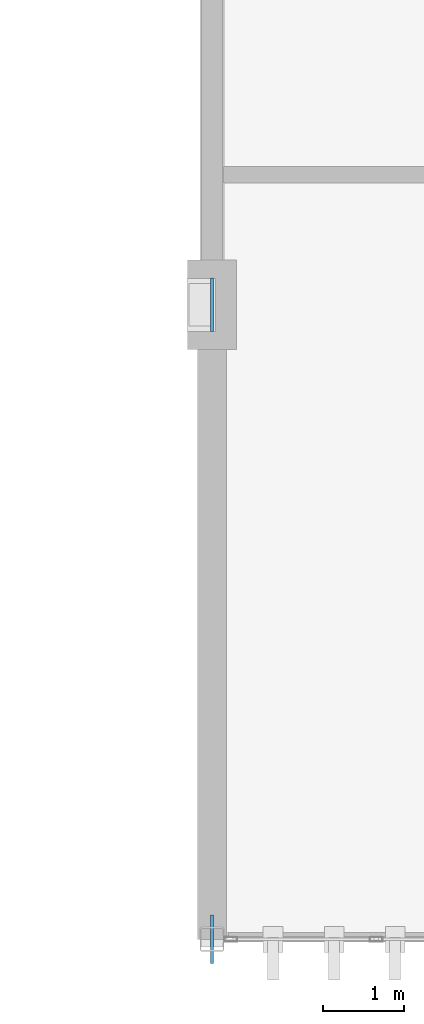
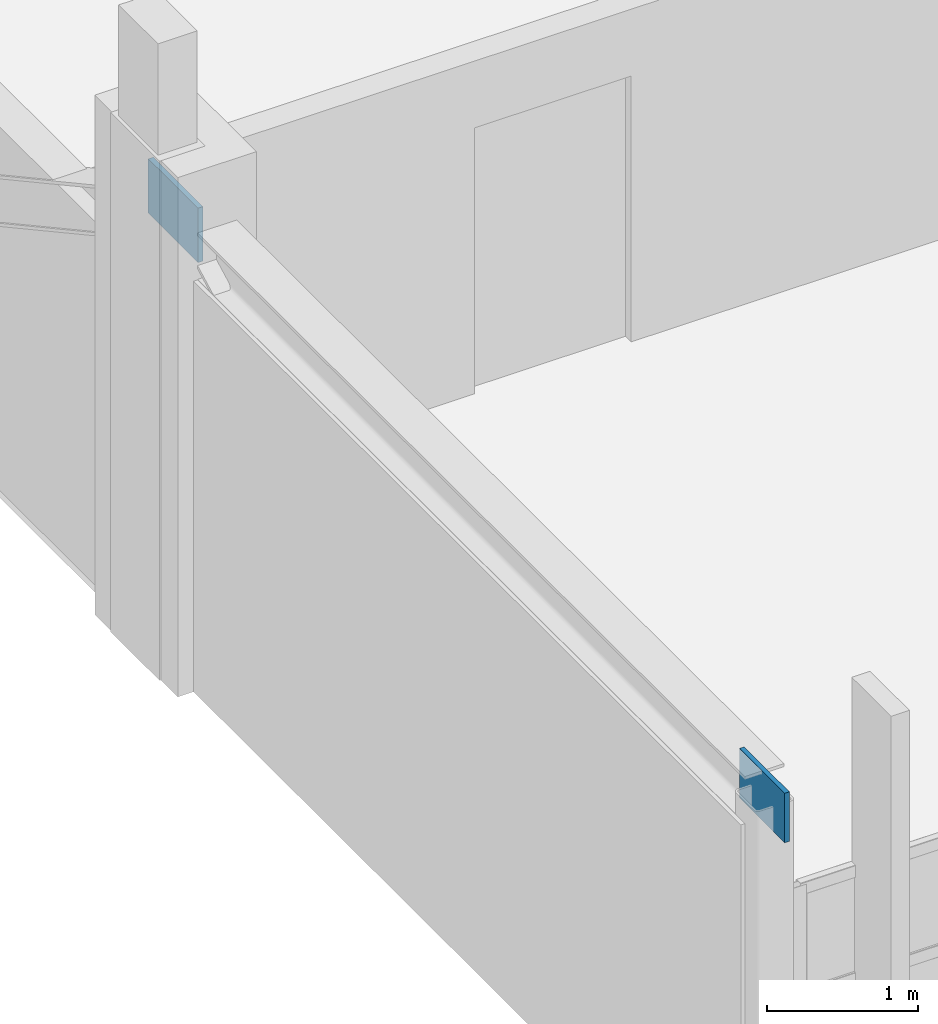
# One storey, part 28 of 51: 2 plates.
"""IFC4 building model written with IfcOpenShell, lengths in metres."""

from ifc_helpers import new_model, si_unit, direction, frame, origin, origin_2d, place, context, subcontext, project, spatial, rectangle, extrude, material, layer, layer_set, type_object, element, save


model = new_model("IFC4")

# Units and contexts
model_context = context("Model", 3, precision=1e-05, world=origin(), true_north=direction((0.0, 1.0)))
body_context = subcontext(model_context, "Body", "Model", "MODEL_VIEW")
ifc_project = project(units=[si_unit("LENGTHUNIT", "METRE"), si_unit("AREAUNIT", "SQUARE_METRE"), si_unit("VOLUMEUNIT", "CUBIC_METRE"), si_unit("PLANEANGLEUNIT", "RADIAN"), si_unit("MASSUNIT", "GRAM", prefix="KILO")], contexts=[model_context])

# Site, building, storey
site_placement = place(None, origin())
site = spatial("IfcSite", under=ifc_project, at=site_placement, CompositionType="ELEMENT")
building_placement = place(site_placement, origin())
building = spatial("IfcBuilding", under=site, at=building_placement, Name="Qasida Concert Hall", CompositionType="ELEMENT")
storey_placement = place(building_placement, frame((0.0, 0.0, 21.0)))
storey = spatial("IfcBuildingStorey", under=building, at=storey_placement, Name="L05", CompositionType="ELEMENT", Elevation=21.0)

# Plates
ifc_material = material(Name="Steel S355J2", Category="steel")
ifc_layer_1 = layer(ifc_material, 0.035888671875, Name="Steel S355J2")
ifc_layer_set_1 = layer_set([ifc_layer_1], Name="Steel S355J2")
plate_type_1 = type_object("IfcPlateType", Name="PLT-PL-KN1", PredefinedType="USERDEFINED", material=ifc_layer_set_1)
plate_1_placement = place(storey_placement, frame((52.5, 14.699951171875, 3.300048828125), z_axis=(0.0, 0.0, 1.0), x_axis=(1.0, 0.0, 0.0)))
element("IfcPlate", 1, at=plate_1_placement, inside=storey, type_object=plate_type_1, Name="Wall truss node plate KN-0009", ObjectType="GUSSET_PLATE", PredefinedType="USERDEFINED", context=body_context, shape_type="SweptSolid", body=[
    extrude(rectangle(XDim=0.035888671875, YDim=0.60009765625, at=origin_2d()), origin(), (0.0, 0.0, 1.0), 0.39990234375),
])
ifc_layer_2 = layer(ifc_material, 0.0380859375, Name="Steel S355J2")
ifc_layer_set_2 = layer_set([ifc_layer_2], Name="Steel S355J2")
plate_type_2 = type_object("IfcPlateType", Name="PLT-PL-KN5", PredefinedType="USERDEFINED", material=ifc_layer_set_2)
plate_2_placement = place(storey_placement, frame((52.5, 22.5, 3.280029296875), z_axis=(0.0, 0.0, 1.0), x_axis=(1.0, 0.0, 0.0)))
element("IfcPlate", 2, at=plate_2_placement, inside=storey, type_object=plate_type_2, Name="Wall truss node plate KN-0010", ObjectType="GUSSET_PLATE", PredefinedType="USERDEFINED", context=body_context, shape_type="SweptSolid", body=[
    extrude(rectangle(XDim=0.0380859375, YDim=0.659912109375, at=origin_2d()), origin(), (0.0, 0.0, 1.0), 0.43994140625),
])

save(model, "model.ifc")
